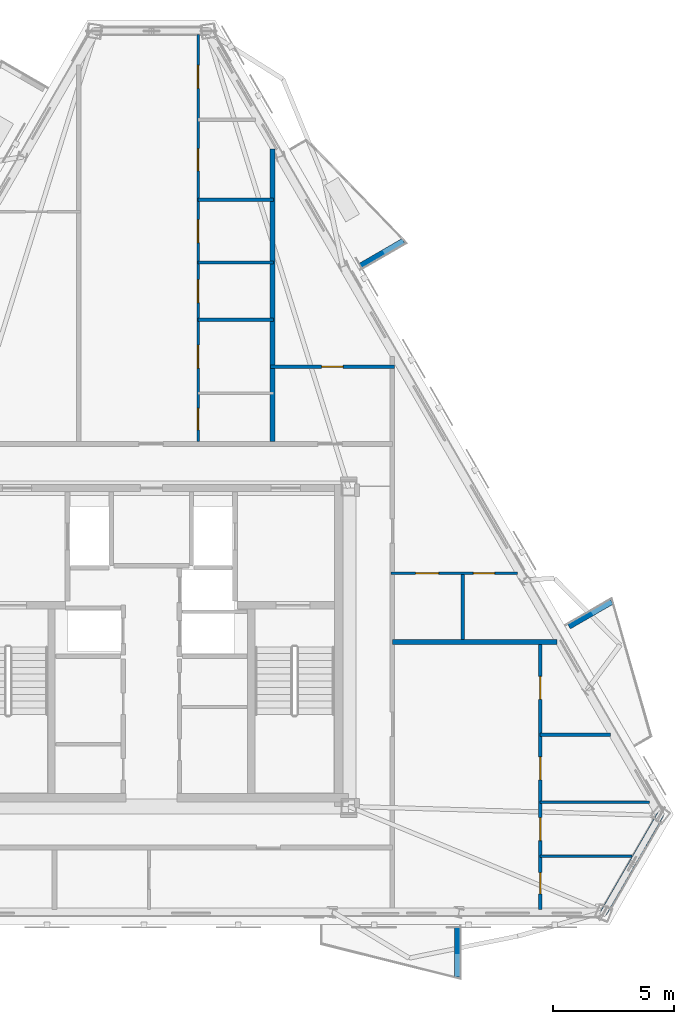
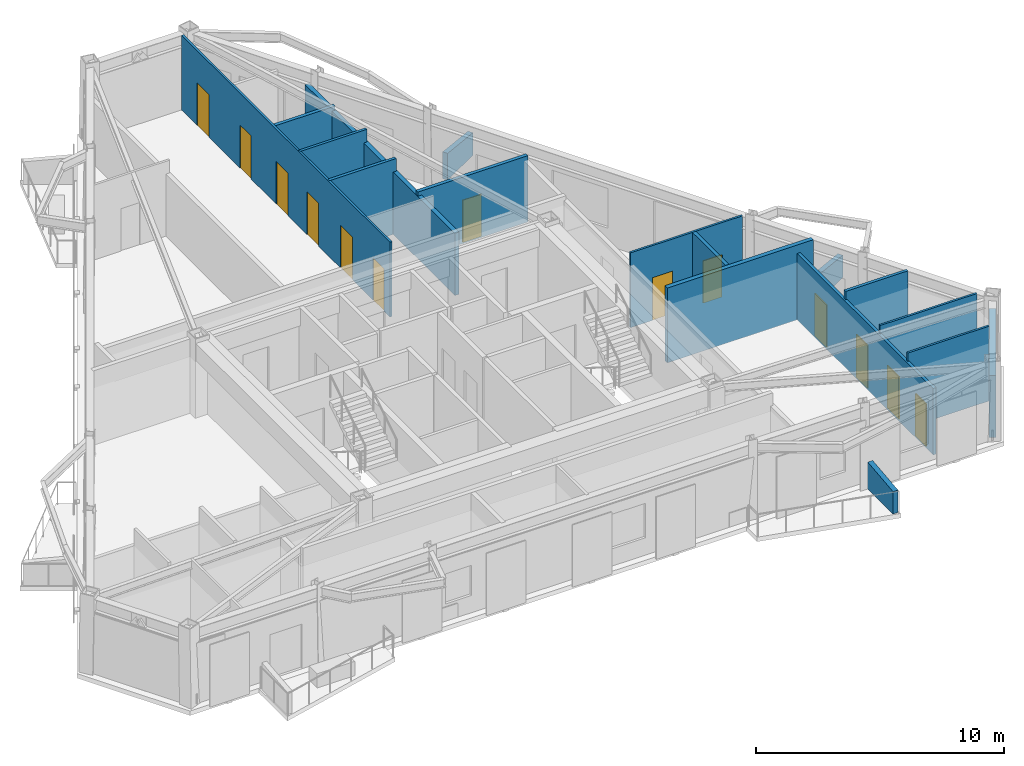
# One storey, part 5 of 9: 17 walls, 13 doors, 13 openings.
"""IFC4 building model written with IfcOpenShell, lengths in metres."""

import ifcopenshell
import ifcopenshell.guid

model = None  # the IFC model being written
_history = None  # IfcOwnerHistory: only IFC2X3 demands one
_inside = {}  # id of a spatial element -> (the spatial element, [elements in it])
_under = {}  # id of a project, library or spatial element -> (it, [spatial elements below it])
_declared = {}  # id of a project -> (the project, [libraries it declares])
_typed = {}  # id of a type object -> (the type object, [elements of that type])
_made_of = {}  # id of a material, layer set ... -> (it, [elements and type objects made of it])


def new_model(schema):
    """Start an empty IFC model of exactly this schema.

    Asked for "IFC4X3", IfcOpenShell would pick the latest addendum, in which some entities
    have other attributes; the version numbers below select the first issue.
    IFC2X3 requires an IfcOwnerHistory on every rooted entity: one is made here for all.
    """
    global model, _history
    if schema == "IFC4X3":
        model = ifcopenshell.file(schema_version=(4, 3, 0, 0))
    else:
        model = ifcopenshell.file(schema=schema)
    _inside.clear()
    _under.clear()
    _declared.clear()
    _typed.clear()
    _made_of.clear()
    _history = None
    if model.schema == "IFC2X3":
        org = make("IfcOrganization", Name="unknown")
        user = make(
            "IfcPersonAndOrganization",
            ThePerson=make("IfcPerson", FamilyName="unknown"),
            TheOrganization=org,
        )
        app = make(
            "IfcApplication",
            ApplicationDeveloper=org,
            Version="unknown",
            ApplicationFullName="unknown",
            ApplicationIdentifier="unknown",
        )
        _history = make(
            "IfcOwnerHistory",
            OwningUser=user,
            OwningApplication=app,
            ChangeAction="ADDED",
            CreationDate=0,
        )
    return model


def make(cls, **values):
    """One entity of the class cls with the attributes given. An attribute that is None is left unset."""
    return model.create_entity(
        cls, **{name: value for name, value in values.items() if value is not None}
    )


def rooted(cls, **values):
    """An entity with a GlobalId (a new one), such as an element, a storey or a relation."""
    return make(cls, GlobalId=ifcopenshell.guid.new(), OwnerHistory=_history, **values)


def si_unit(unit_type, name, prefix=None):
    """IfcSIUnit, for example si_unit("LENGTHUNIT", "METRE", prefix="MILLI")."""
    return make("IfcSIUnit", UnitType=unit_type, Prefix=prefix, Name=name)


def assignment(units):
    """IfcUnitAssignment: the units of a project."""
    return None if units is None else make("IfcUnitAssignment", Units=units)


def point(xyz):
    """IfcCartesianPoint."""
    return None if xyz is None else make("IfcCartesianPoint", Coordinates=xyz)


def direction(xyz):
    """IfcDirection."""
    return None if xyz is None else make("IfcDirection", DirectionRatios=xyz)


def frame(location, z_axis=None, x_axis=None):
    """IfcAxis2Placement3D, a coordinate frame: its origin and axes. An axis left out is left unset."""
    return make(
        "IfcAxis2Placement3D",
        Location=point(location),
        Axis=direction(z_axis),
        RefDirection=direction(x_axis),
    )


def frame_2d(location, x_axis=None):
    """IfcAxis2Placement2D, a coordinate frame in the plane: its origin and x axis."""
    return make(
        "IfcAxis2Placement2D", Location=point(location), RefDirection=direction(x_axis)
    )


def origin():
    """The frame at (0, 0, 0) with its axes left unset."""
    return frame((0.0, 0.0, 0.0))


def place(relative_to, where):
    """IfcLocalPlacement: puts the frame where relative to a parent placement (None: the world)."""
    return make(
        "IfcLocalPlacement", PlacementRelTo=relative_to, RelativePlacement=where
    )


def context(
    kind, dimensions, precision=None, world=None, true_north=None, identifier=None
):
    """IfcGeometricRepresentationContext, for example the 3D "Model" context."""
    return make(
        "IfcGeometricRepresentationContext",
        ContextIdentifier=identifier,
        ContextType=kind,
        CoordinateSpaceDimension=dimensions,
        Precision=precision,
        WorldCoordinateSystem=world,
        TrueNorth=true_north,
    )


def subcontext(parent, identifier, kind, view, scale=None):
    """IfcGeometricRepresentationSubContext, for example "Body" below "Model"."""
    return make(
        "IfcGeometricRepresentationSubContext",
        ContextIdentifier=identifier,
        ContextType=kind,
        ParentContext=parent,
        TargetScale=scale,
        TargetView=view,
    )


def project(units=None, contexts=None):
    """IfcProject with its units and contexts."""
    return rooted(
        "IfcProject",
        Name="project",
        RepresentationContexts=contexts,
        UnitsInContext=assignment(units),
    )


def spatial(cls, under=None, at=None, **own):
    """A site, building, storey or space (cls), placed at a placement, below another one or the project."""
    s = rooted(cls, ObjectPlacement=at, **own)
    if under is not None:
        _under.setdefault(under.id(), (under, []))[1].append(s)
    return s


def polyline(points):
    """IfcPolyline through the points."""
    return make("IfcPolyline", Points=[point(p) for p in points])


def profile(cls, at=None, kind="AREA", **sizes):
    """A parametric profile (cls). Its sizes go by their IFC names, for example OverallWidth=200.0."""
    return make(cls, ProfileType=kind, Position=at, **sizes)


def rectangle(**sizes):
    """IfcRectangleProfileDef."""
    return profile("IfcRectangleProfileDef", **sizes)


def outline(outer, holes=None, kind="AREA"):
    """IfcArbitraryClosedProfileDef: a profile drawn as a closed curve; with holes, ...WithVoids."""
    if holes is None:
        return make("IfcArbitraryClosedProfileDef", ProfileType=kind, OuterCurve=outer)
    return make(
        "IfcArbitraryProfileDefWithVoids",
        ProfileType=kind,
        OuterCurve=outer,
        InnerCurves=holes,
    )


def extrude(swept, where, along, depth):
    """IfcExtrudedAreaSolid: the profile swept, set in the frame where, extruded along a direction by depth."""
    return make(
        "IfcExtrudedAreaSolid",
        SweptArea=swept,
        Position=where,
        ExtrudedDirection=direction(along),
        Depth=depth,
    )


def shape(context_of_items, identifier, shape_type, items):
    """IfcShapeRepresentation: the items that make up one representation, for example the "Body"."""
    return make(
        "IfcShapeRepresentation",
        ContextOfItems=context_of_items,
        RepresentationIdentifier=identifier,
        RepresentationType=shape_type,
        Items=items,
    )


def material(Name=None, Category=None):
    """IfcMaterial."""
    return make("IfcMaterial", Name=Name, Category=Category)


def layer(
    of_material, thickness, ventilated=None, Name=None, Category=None, Priority=None
):
    """IfcMaterialLayer: one layer of a wall or slab, of a material (None: an air gap)."""
    return make(
        "IfcMaterialLayer",
        Material=of_material,
        LayerThickness=thickness,
        IsVentilated=ventilated,
        Name=Name,
        Category=Category,
        Priority=Priority,
    )


def layer_set(layers, Name=None):
    """IfcMaterialLayerSet."""
    return make("IfcMaterialLayerSet", MaterialLayers=layers, LayerSetName=Name)


def made_of(thing, what):
    """Note that an element or type object is made of a material, layer set ...; save() writes the relation."""
    if what is not None:
        _made_of.setdefault(what.id(), (what, []))[1].append(thing)
    return thing


def type_object(cls, material=None, **own):
    """A type object (cls), such as IfcWallType, which elements share."""
    return made_of(rooted(cls, **own), material)


def element(
    cls,
    number,
    at=None,
    inside=None,
    cuts=None,
    type_object=None,
    material=None,
    context=None,
    identifier="Body",
    shape_type=None,
    held_by="IfcProductDefinitionShape",
    body=None,
    shapes=None,
    **own,
):
    """One element of the class cls, such as IfcWall. Its Tag is "e" and its number.

    at: its placement. inside: the storey or other place that contains it. cuts: it is an
    opening in that element (IfcRelVoidsElement). A single representation is given by context,
    identifier, shape_type and body (its items); several are given by shapes. held_by: the class
    of the entity that holds the representations. save() writes the other relations.
    """
    e = rooted(cls, Tag="e%d" % number, ObjectPlacement=at, **own)
    if body is not None:
        shapes = [shape(context, identifier, shape_type, body)]
    if shapes is not None:
        e.Representation = make(held_by, Representations=shapes)
    if inside is not None:
        _inside.setdefault(inside.id(), (inside, []))[1].append(e)
    if cuts is not None:
        rooted(
            "IfcRelVoidsElement", RelatingBuildingElement=cuts, RelatedOpeningElement=e
        )
    if type_object is not None:
        _typed.setdefault(type_object.id(), (type_object, []))[1].append(e)
    return made_of(e, material)


def fill(opening, filler):
    """IfcRelFillsElement: the door or window that sits in an opening."""
    return rooted(
        "IfcRelFillsElement",
        RelatingOpeningElement=opening,
        RelatedBuildingElement=filler,
    )


def aggregate(whole, parts):
    """IfcRelAggregates: a whole, such as a stair, and the parts it consists of."""
    return rooted("IfcRelAggregates", RelatingObject=whole, RelatedObjects=parts)


def save(model, path):
    """Write the relations noted so far, then the file.

    IfcRelAggregates (storeys below a building ...), IfcRelContainedInSpatialStructure (elements
    in a storey), IfcRelDefinesByType, IfcRelAssociatesMaterial and IfcRelDeclares: one each for
    every whole, place, type object, material and project.
    """
    for whole, parts in _under.values():
        aggregate(whole, parts)
    for where, things in _inside.values():
        rooted(
            "IfcRelContainedInSpatialStructure",
            RelatedElements=things,
            RelatingStructure=where,
        )
    for kind, things in _typed.values():
        rooted("IfcRelDefinesByType", RelatedObjects=things, RelatingType=kind)
    for what, things in _made_of.values():
        rooted("IfcRelAssociatesMaterial", RelatedObjects=things, RelatingMaterial=what)
    for by, libraries in _declared.values():
        rooted("IfcRelDeclares", RelatingContext=by, RelatedDefinitions=libraries)
    model.write(path)


model = new_model("IFC4")

# Units and contexts
model_context = context("Model", 3, precision=1e-05, world=origin(), true_north=direction((0.0, 1.0)))
body_context = subcontext(model_context, "Body", "Model", "MODEL_VIEW")
ifc_project = project(units=[si_unit("LENGTHUNIT", "METRE"), si_unit("AREAUNIT", "SQUARE_METRE"), si_unit("VOLUMEUNIT", "CUBIC_METRE"), si_unit("PLANEANGLEUNIT", "RADIAN"), si_unit("MASSUNIT", "GRAM", prefix="KILO")], contexts=[model_context])

# Site, building, storey
site_placement = place(None, origin())
site = spatial("IfcSite", under=ifc_project, at=site_placement, CompositionType="ELEMENT")
building_placement = place(site_placement, origin())
building = spatial("IfcBuilding", under=site, at=building_placement, Name="Oramaril Tower", CompositionType="ELEMENT")
storey_placement = place(building_placement, frame((0.0, 0.0, 273.300048828125)))
storey = spatial("IfcBuildingStorey", under=building, at=storey_placement, Name="L72", CompositionType="ELEMENT", Elevation=273.300048828125)

# Walls
ifc_material_1 = material(Name="Warm Cream Limestone", Category="masonry")
ifc_layer_1 = layer(ifc_material_1, 0.2900390625)
ifc_layer_set_1 = layer_set([ifc_layer_1], Name="WT-EXT29")
wall_type_1 = type_object("IfcWallType", Name="WT-EXT29", PredefinedType="SOLIDWALL", material=ifc_layer_set_1)
wall_1_placement = place(storey_placement, frame((56.17138671875, 6.593994140625, 0.0), z_axis=(0.0, 0.0, 1.0), x_axis=(0.499959680857, 0.866048680801, 0.0)))
element("IfcWall", 1, at=wall_1_placement, inside=storey, type_object=wall_type_1, Name="L72 Tower Limestone Facade Wall 3M", PredefinedType="SOLIDWALL", context=body_context, shape_type="SweptSolid", body=[
    extrude(rectangle(XDim=4.7216796875, YDim=0.2900390625, at=frame_2d((2.36083984375, 0.0))), origin(), (0.0, 0.0, 1.0), 3.057861328125),
])
ifc_material_2 = material(Name="Concrete C40/50", Category="concrete")
ifc_layer_2 = layer(ifc_material_2, 0.22998046875)
ifc_layer_set_2 = layer_set([ifc_layer_2], Name="WT-PRP23")
wall_type_2 = type_object("IfcWallType", Name="WT-PRP23", PredefinedType="PARAPET", material=ifc_layer_set_2)
for number, where, z_axis, x_axis, name in (
    (2, (50.132080078125, 5.99609375, 0.0), (0.0, 0.0, 1.0), (0.0, -1.0, 0.0), "L72 Trapezoidal Balcony Frame Cheek L72-BAL-S2-R"),
    (3, (54.747802734375, 18.43359375, 0.0), (0.0, 0.0, 1.0), (0.866012356593, 0.500022597718, 0.0), "L72 Trapezoidal Balcony Frame Cheek L72-BAL-NE1-R"),
    (4, (46.143310546875, 33.337158203125, 0.0), (0.0, 0.0, 1.0), (0.866012356593, 0.500022597718, 0.0), "L72 Trapezoidal Balcony Frame Cheek L72-BAL-NE2-L"),
):
    element("IfcWall", number, at=place(storey_placement, frame(where, z_axis=z_axis, x_axis=x_axis)), inside=storey, type_object=wall_type_2, Name=name, PredefinedType="PARAPET", context=body_context, shape_type="SweptSolid", body=[
        extrude(outline(polyline([(0.0, 0.0), (2.0419921875, 0.0), (2.0419921875, 1.099853515625), (0.0, 1.320068359375), (0.0, 0.0)])), frame((0.0, 0.114990234375, 0.0), z_axis=(0.0, -1.0, 0.0), x_axis=(1.0, 0.0, 0.0)), (0.0, 0.0, 1.0), 0.22998046875),
    ])
ifc_material_3 = material(Name="Acoustic Gypsum Board Partition")
ifc_layer_3 = layer(ifc_material_3, 0.10009765625)
ifc_layer_set_3 = layer_set([ifc_layer_3], Name="WT-PT10")
wall_type_3 = type_object("IfcWallType", Name="WT-PT10", PredefinedType="PARTITIONING", material=ifc_layer_set_3)
wall_2_placement = place(storey_placement, frame((53.55908203125, 8.949951171875, 0.0), z_axis=(0.0, 0.0, 1.0), x_axis=(1.0, 0.0, 0.0)))
element("IfcWall", 5, at=wall_2_placement, inside=storey, type_object=wall_type_3, Name="L72 Interior Partition PT-10", PredefinedType="PARTITIONING", context=body_context, shape_type="SweptSolid", body=[
    extrude(rectangle(XDim=3.800537109375, YDim=0.10009765625, at=frame_2d((1.900390625, 0.0))), origin(), (0.0, 0.0, 1.0), 3.679931640625),
])
wall_3_placement = place(storey_placement, frame((53.55908203125, 11.179931640625, 0.0), z_axis=(0.0, 0.0, 1.0), x_axis=(1.0, 0.0, 0.0)))
element("IfcWall", 6, at=wall_3_placement, inside=storey, type_object=wall_type_3, Name="L72 Interior Partition PT-10", PredefinedType="PARTITIONING", context=body_context, shape_type="SweptSolid", body=[
    extrude(rectangle(XDim=4.513916015625, YDim=0.10009765625, at=frame_2d((2.2568359375, 0.0))), origin(), (0.0, 0.0, 1.0), 3.679931640625),
])

# Wall, openings, doors
wall_4_placement = place(storey_placement, frame((47.39990234375, 20.6298828125, 0.0), z_axis=(0.0, 0.0, 1.0), x_axis=(1.0, 0.0, 0.0)))
wall_4 = element("IfcWall", 7, at=wall_4_placement, inside=storey, type_object=wall_type_3, Name="L72 Interior Partition PT-10", PredefinedType="PARTITIONING", context=body_context, shape_type="SweptSolid", body=[
    extrude(rectangle(XDim=5.21728515625, YDim=0.10009765625, at=frame_2d((2.608642578125, 0.0))), origin(), (0.0, 0.0, 1.0), 3.679931640625),
])
opening_1_placement = place(wall_4_placement, frame((1.012939453125, 0.0, 0.0)))
opening_1 = element("IfcOpeningElement", 8, at=opening_1_placement, cuts=wall_4, Name="Opening D-L72-07", PredefinedType="OPENING", context=body_context, shape_type="SweptSolid", body=[
    extrude(rectangle(XDim=0.949951171875, YDim=2.10009765625, at=frame_2d((0.47509765625, 1.050048828125))), frame((0.0, 0.050048828125, 0.0), z_axis=(0.0, -1.0, 0.0), x_axis=(1.0, 0.0, 0.0)), (0.0, 0.0, 1.0), 0.10009765625),
])
opening_2_placement = place(wall_4_placement, frame((3.398193359375, 0.0, 0.0)))
opening_2 = element("IfcOpeningElement", 9, at=opening_2_placement, cuts=wall_4, Name="Opening D-L72-08", PredefinedType="OPENING", context=body_context, shape_type="SweptSolid", body=[
    extrude(rectangle(XDim=0.8798828125, YDim=2.080078125, at=frame_2d((0.43994140625, 1.0400390625))), frame((0.0, 0.050048828125, 0.0), z_axis=(0.0, -1.0, 0.0), x_axis=(1.0, 0.0, 0.0)), (0.0, 0.0, 1.0), 0.10009765625),
])
ifc_material_4 = material(Name="FSC Brazilian Freijo Hardwood", Category="wood")
door_type_1 = type_object("IfcDoorType", Name="DT-BATH", OperationType="NOTDEFINED", PredefinedType="DOOR", material=ifc_material_4)
door_1_placement = place(opening_2_placement, origin())
door_1 = element("IfcDoor", 10, at=door_1_placement, inside=storey, type_object=door_type_1, Name="L72 Flat L72-U5 Bathroom Door D-L72-08", OperationType="SINGLE_SWING_LEFT", OverallHeight=2.080078125, OverallWidth=0.8798828125, PredefinedType="DOOR", context=body_context, shape_type="SweptSolid", body=[
    extrude(rectangle(XDim=0.8798828125, YDim=2.080078125, at=frame_2d((0.43994140625, 1.0400390625))), frame((0.0, 0.02490234375, 0.0), z_axis=(0.0, -1.0, 0.0), x_axis=(1.0, 0.0, 0.0)), (0.0, 0.0, 1.0), 0.050048828125),
])
fill(opening_2, door_1)
ifc_material_5 = material(Name="FSC Brazilian Freijo Hardwood", Category="wood")
door_type_2 = type_object("IfcDoorType", Name="DT-STDY", OperationType="NOTDEFINED", PredefinedType="DOOR", material=ifc_material_5)
door_2_placement = place(opening_1_placement, origin())
door_2 = element("IfcDoor", 11, at=door_2_placement, inside=storey, type_object=door_type_2, Name="L72 Flat L72-U5 Kitchen Door D-L72-07", OperationType="SINGLE_SWING_RIGHT", OverallHeight=2.10009765625, OverallWidth=0.949951171875, PredefinedType="DOOR", context=body_context, shape_type="SweptSolid", body=[
    extrude(rectangle(XDim=0.949951171875, YDim=2.10009765625, at=frame_2d((0.47509765625, 1.050048828125))), frame((0.0, 0.02490234375, 0.0), z_axis=(0.0, -1.0, 0.0), x_axis=(1.0, 0.0, 0.0)), (0.0, 0.0, 1.0), 0.050048828125),
])
fill(opening_1, door_2)

wall_5_placement = place(storey_placement, frame((39.429931640625, 26.073974609375, 0.0), z_axis=(0.0, 0.0, 1.0), x_axis=(0.0, 1.0, 0.0)))
wall_5 = element("IfcWall", 12, at=wall_5_placement, inside=storey, type_object=wall_type_3, Name="L72 Interior Partition PT-10", PredefinedType="PARTITIONING", context=body_context, shape_type="SweptSolid", body=[
    extrude(rectangle(XDim=16.7998046875, YDim=0.10009765625, at=frame_2d((8.39990234375, 0.0))), origin(), (0.0, 0.0, 1.0), 3.679931640625),
])
opening_3_placement = place(wall_5_placement, frame((0.48583984375, 0.0, 0.0)))
opening_3 = element("IfcOpeningElement", 13, at=opening_3_placement, cuts=wall_5, Name="Opening D-L72-17", PredefinedType="OPENING", context=body_context, shape_type="SweptSolid", body=[
    extrude(rectangle(XDim=0.8798828125, YDim=2.080078125, at=frame_2d((0.43994140625, 1.0400390625))), frame((0.0, 0.050048828125, 0.0), z_axis=(0.0, -1.0, 0.0), x_axis=(1.0, 0.0, 0.0)), (0.0, 0.0, 1.0), 0.10009765625),
])
opening_4_placement = place(wall_5_placement, frame((3.03564453125, 0.0, 0.0)))
opening_4 = element("IfcOpeningElement", 14, at=opening_4_placement, cuts=wall_5, Name="Opening D-L72-18", PredefinedType="OPENING", context=body_context, shape_type="SweptSolid", body=[
    extrude(rectangle(XDim=0.949951171875, YDim=2.10009765625, at=frame_2d((0.47509765625, 1.050048828125))), frame((0.0, 0.050048828125, 0.0), z_axis=(0.0, -1.0, 0.0), x_axis=(1.0, 0.0, 0.0)), (0.0, 0.0, 1.0), 0.10009765625),
])
opening_5_placement = place(wall_5_placement, frame((5.739990234375, 0.0, 0.0)))
opening_5 = element("IfcOpeningElement", 15, at=opening_5_placement, cuts=wall_5, Name="Opening D-L72-19", PredefinedType="OPENING", context=body_context, shape_type="SweptSolid", body=[
    extrude(rectangle(XDim=0.949951171875, YDim=2.10009765625, at=frame_2d((0.47509765625, 1.050048828125))), frame((0.0, 0.050048828125, 0.0), z_axis=(0.0, -1.0, 0.0), x_axis=(1.0, 0.0, 0.0)), (0.0, 0.0, 1.0), 0.10009765625),
])
opening_6_placement = place(wall_5_placement, frame((8.216552734375, 0.0, 0.0)))
opening_6 = element("IfcOpeningElement", 16, at=opening_6_placement, cuts=wall_5, Name="Opening D-L72-20", PredefinedType="OPENING", context=body_context, shape_type="SweptSolid", body=[
    extrude(rectangle(XDim=0.949951171875, YDim=2.10009765625, at=frame_2d((0.47509765625, 1.050048828125))), frame((0.0, 0.050048828125, 0.0), z_axis=(0.0, -1.0, 0.0), x_axis=(1.0, 0.0, 0.0)), (0.0, 0.0, 1.0), 0.10009765625),
])
opening_7_placement = place(wall_5_placement, frame((11.179931640625, 0.0, 0.0)))
opening_7 = element("IfcOpeningElement", 17, at=opening_7_placement, cuts=wall_5, Name="Opening D-L72-21", PredefinedType="OPENING", context=body_context, shape_type="SweptSolid", body=[
    extrude(rectangle(XDim=0.919921875, YDim=2.1201171875, at=frame_2d((0.4599609375, 1.06005859375))), frame((0.0, 0.050048828125, 0.0), z_axis=(0.0, -1.0, 0.0), x_axis=(1.0, 0.0, 0.0)), (0.0, 0.0, 1.0), 0.10009765625),
])
opening_8_placement = place(wall_5_placement, frame((14.5849609375, 0.0, 0.0)))
opening_8 = element("IfcOpeningElement", 18, at=opening_8_placement, cuts=wall_5, Name="Opening D-L72-22", PredefinedType="OPENING", context=body_context, shape_type="SweptSolid", body=[
    extrude(rectangle(XDim=0.949951171875, YDim=2.10009765625, at=frame_2d((0.47509765625, 1.050048828125))), frame((0.0, 0.050048828125, 0.0), z_axis=(0.0, -1.0, 0.0), x_axis=(1.0, 0.0, 0.0)), (0.0, 0.0, 1.0), 0.10009765625),
])
door_3_placement = place(opening_3_placement, origin())
door_3 = element("IfcDoor", 19, at=door_3_placement, inside=storey, type_object=door_type_1, Name="L72 Flat L72-U7 Bathroom Door D-L72-17", OperationType="SINGLE_SWING_RIGHT", OverallHeight=2.080078125, OverallWidth=0.8798828125, PredefinedType="DOOR", context=body_context, shape_type="SweptSolid", body=[
    extrude(rectangle(XDim=0.8798828125, YDim=2.080078125, at=frame_2d((0.43994140625, 1.0400390625))), frame((0.0, 0.02490234375, 0.0), z_axis=(0.0, -1.0, 0.0), x_axis=(1.0, 0.0, 0.0)), (0.0, 0.0, 1.0), 0.050048828125),
])
fill(opening_3, door_3)
ifc_material_6 = material(Name="FSC Brazilian Freijo Hardwood", Category="wood")
door_type_3 = type_object("IfcDoorType", Name="DT-BED", OperationType="NOTDEFINED", PredefinedType="DOOR", material=ifc_material_6)
door_4_placement = place(opening_7_placement, origin())
door_4 = element("IfcDoor", 20, at=door_4_placement, inside=storey, type_object=door_type_3, Name="L72 Flat L72-U7 Bedroom 2 Door D-L72-21", OperationType="SINGLE_SWING_RIGHT", OverallHeight=2.1201171875, OverallWidth=0.919921875, PredefinedType="DOOR", context=body_context, shape_type="SweptSolid", body=[
    extrude(rectangle(XDim=0.919921875, YDim=2.1201171875, at=frame_2d((0.4599609375, 1.06005859375))), frame((0.0, 0.02490234375, 0.0), z_axis=(0.0, -1.0, 0.0), x_axis=(1.0, 0.0, 0.0)), (0.0, 0.0, 1.0), 0.050048828125),
])
fill(opening_7, door_4)
door_5_placement = place(opening_4_placement, origin())
door_5 = element("IfcDoor", 21, at=door_5_placement, inside=storey, type_object=door_type_2, Name="L72 Flat L72-U7 Kitchen Door D-L72-18", OperationType="SINGLE_SWING_LEFT", OverallHeight=2.10009765625, OverallWidth=0.949951171875, PredefinedType="DOOR", context=body_context, shape_type="SweptSolid", body=[
    extrude(rectangle(XDim=0.949951171875, YDim=2.10009765625, at=frame_2d((0.47509765625, 1.050048828125))), frame((0.0, 0.02490234375, 0.0), z_axis=(0.0, -1.0, 0.0), x_axis=(1.0, 0.0, 0.0)), (0.0, 0.0, 1.0), 0.050048828125),
])
fill(opening_4, door_5)
door_6_placement = place(opening_5_placement, origin())
door_6 = element("IfcDoor", 22, at=door_6_placement, inside=storey, type_object=door_type_2, Name="L72 Flat L72-U7 Private Dining Room Door D-L72-19", OperationType="SINGLE_SWING_RIGHT", OverallHeight=2.10009765625, OverallWidth=0.949951171875, PredefinedType="DOOR", context=body_context, shape_type="SweptSolid", body=[
    extrude(rectangle(XDim=0.949951171875, YDim=2.10009765625, at=frame_2d((0.47509765625, 1.050048828125))), frame((0.0, 0.02490234375, 0.0), z_axis=(0.0, -1.0, 0.0), x_axis=(1.0, 0.0, 0.0)), (0.0, 0.0, 1.0), 0.050048828125),
])
fill(opening_5, door_6)
door_7_placement = place(opening_6_placement, origin())
door_7 = element("IfcDoor", 23, at=door_7_placement, inside=storey, type_object=door_type_2, Name="L72 Flat L72-U7 Dining Room Door D-L72-20", OperationType="SINGLE_SWING_LEFT", OverallHeight=2.10009765625, OverallWidth=0.949951171875, PredefinedType="DOOR", context=body_context, shape_type="SweptSolid", body=[
    extrude(rectangle(XDim=0.949951171875, YDim=2.10009765625, at=frame_2d((0.47509765625, 1.050048828125))), frame((0.0, 0.02490234375, 0.0), z_axis=(0.0, -1.0, 0.0), x_axis=(1.0, 0.0, 0.0)), (0.0, 0.0, 1.0), 0.050048828125),
])
fill(opening_6, door_7)
door_8_placement = place(opening_8_placement, origin())
door_8 = element("IfcDoor", 24, at=door_8_placement, inside=storey, type_object=door_type_2, Name="L72 Flat L72-U7 Breakfast Dining Room Door D-L72-22", OperationType="SINGLE_SWING_LEFT", OverallHeight=2.10009765625, OverallWidth=0.949951171875, PredefinedType="DOOR", context=body_context, shape_type="SweptSolid", body=[
    extrude(rectangle(XDim=0.949951171875, YDim=2.10009765625, at=frame_2d((0.47509765625, 1.050048828125))), frame((0.0, 0.02490234375, 0.0), z_axis=(0.0, -1.0, 0.0), x_axis=(1.0, 0.0, 0.0)), (0.0, 0.0, 1.0), 0.050048828125),
])
fill(opening_8, door_8)

# Walls
ifc_material_7 = material(Name="Acoustic Gypsum Board Partition")
ifc_layer_4 = layer(ifc_material_7, 0.1201171875)
ifc_layer_set_4 = layer_set([ifc_layer_4], Name="WT-PT12")
wall_type_4 = type_object("IfcWallType", Name="WT-PT12", PredefinedType="PARTITIONING", material=ifc_layer_set_4)
wall_6_placement = place(storey_placement, frame((39.429931640625, 33.469970703125, 0.0), z_axis=(0.0, 0.0, 1.0), x_axis=(1.0, 0.0, 0.0)))
element("IfcWall", 25, at=wall_6_placement, inside=storey, type_object=wall_type_4, Name="L72 Interior Partition PT-12", PredefinedType="PARTITIONING", context=body_context, shape_type="SweptSolid", body=[
    extrude(rectangle(XDim=3.1201171875, YDim=0.1201171875, at=frame_2d((1.56005859375, 0.0))), origin(), (0.0, 0.0, 1.0), 3.679931640625),
])
ifc_material_8 = material(Name="Acoustic Gypsum Board Partition")
ifc_layer_5 = layer(ifc_material_8, 0.139892578125)
ifc_layer_set_5 = layer_set([ifc_layer_5], Name="WT-PT14")
wall_type_5 = type_object("IfcWallType", Name="WT-PT14", PredefinedType="PARTITIONING", material=ifc_layer_set_5)
wall_7_placement = place(storey_placement, frame((53.55908203125, 13.969970703125, 0.0), z_axis=(0.0, 0.0, 1.0), x_axis=(1.0, 0.0, 0.0)))
element("IfcWall", 26, at=wall_7_placement, inside=storey, type_object=wall_type_5, Name="L72 Interior Partition PT-14", PredefinedType="PARTITIONING", context=body_context, shape_type="SweptSolid", body=[
    extrude(rectangle(XDim=2.9033203125, YDim=0.139892578125, at=frame_2d((1.45166015625, 0.0))), origin(), (0.0, 0.0, 1.0), 3.679931640625),
])
wall_8_placement = place(storey_placement, frame((39.429931640625, 31.110107421875, 0.0), z_axis=(0.0, 0.0, 1.0), x_axis=(1.0, 0.0, 0.0)))
element("IfcWall", 27, at=wall_8_placement, inside=storey, type_object=wall_type_5, Name="L72 Interior Partition PT-14", PredefinedType="PARTITIONING", context=body_context, shape_type="SweptSolid", body=[
    extrude(rectangle(XDim=3.1201171875, YDim=0.139892578125, at=frame_2d((1.56005859375, 0.0))), origin(), (0.0, 0.0, 1.0), 3.679931640625),
])

# Wall, openings, doors
wall_9_placement = place(storey_placement, frame((53.56005859375, 6.7431640625, 0.0), z_axis=(0.0, 0.0, 1.0), x_axis=(0.0, 1.0, 0.0)))
wall_9 = element("IfcWall", 28, at=wall_9_placement, inside=storey, type_object=wall_type_5, Name="L72 Interior Partition PT-14", PredefinedType="PARTITIONING", context=body_context, shape_type="SweptSolid", body=[
    extrude(rectangle(XDim=10.952880859375, YDim=0.139892578125, at=frame_2d((5.4765625, 0.0))), origin(), (0.0, 0.0, 1.0), 3.265869140625),
])
opening_9_placement = place(wall_9_placement, frame((0.650390625, 0.0, 0.0)))
opening_9 = element("IfcOpeningElement", 29, at=opening_9_placement, cuts=wall_9, Name="Opening D-L72-25", PredefinedType="OPENING", context=body_context, shape_type="SweptSolid", body=[
    extrude(rectangle(XDim=0.8798828125, YDim=2.080078125, at=frame_2d((0.43994140625, 1.0400390625))), frame((0.0, 0.06982421875, 0.0), z_axis=(0.0, -1.0, 0.0), x_axis=(1.0, 0.0, 0.0)), (0.0, 0.0, 1.0), 0.139892578125),
])
opening_10_placement = place(wall_9_placement, frame((2.84716796875, 0.0, 0.0)))
opening_10 = element("IfcOpeningElement", 30, at=opening_10_placement, cuts=wall_9, Name="Opening D-L72-26", PredefinedType="OPENING", context=body_context, shape_type="SweptSolid", body=[
    extrude(rectangle(XDim=0.949951171875, YDim=2.10009765625, at=frame_2d((0.47509765625, 1.050048828125))), frame((0.0, 0.06982421875, 0.0), z_axis=(0.0, -1.0, 0.0), x_axis=(1.0, 0.0, 0.0)), (0.0, 0.0, 1.0), 0.139892578125),
])
opening_11_placement = place(wall_9_placement, frame((5.35693359375, 0.0, 0.0)))
opening_11 = element("IfcOpeningElement", 31, at=opening_11_placement, cuts=wall_9, Name="Opening D-L72-27", PredefinedType="OPENING", context=body_context, shape_type="SweptSolid", body=[
    extrude(rectangle(XDim=0.949951171875, YDim=2.10009765625, at=frame_2d((0.47509765625, 1.050048828125))), frame((0.0, 0.06982421875, 0.0), z_axis=(0.0, -1.0, 0.0), x_axis=(1.0, 0.0, 0.0)), (0.0, 0.0, 1.0), 0.139892578125),
])
opening_12_placement = place(wall_9_placement, frame((8.682861328125, 0.0, 0.0)))
opening_12 = element("IfcOpeningElement", 32, at=opening_12_placement, cuts=wall_9, Name="Opening D-L72-28", PredefinedType="OPENING", context=body_context, shape_type="SweptSolid", body=[
    extrude(rectangle(XDim=0.949951171875, YDim=2.10009765625, at=frame_2d((0.47509765625, 1.050048828125))), frame((0.0, 0.06982421875, 0.0), z_axis=(0.0, -1.0, 0.0), x_axis=(1.0, 0.0, 0.0)), (0.0, 0.0, 1.0), 0.139892578125),
])
door_9_placement = place(opening_9_placement, origin())
door_9 = element("IfcDoor", 33, at=door_9_placement, inside=storey, type_object=door_type_1, Name="L72 Flat L72-U4 Bathroom Door D-L72-25", OperationType="SINGLE_SWING_RIGHT", OverallHeight=2.080078125, OverallWidth=0.8798828125, PredefinedType="DOOR", context=body_context, shape_type="SweptSolid", body=[
    extrude(rectangle(XDim=0.8798828125, YDim=2.080078125, at=frame_2d((0.43994140625, 1.0400390625))), frame((0.0, 0.02490234375, 0.0), z_axis=(0.0, -1.0, 0.0), x_axis=(1.0, 0.0, 0.0)), (0.0, 0.0, 1.0), 0.050048828125),
])
fill(opening_9, door_9)
door_10_placement = place(opening_10_placement, origin())
door_10 = element("IfcDoor", 34, at=door_10_placement, inside=storey, type_object=door_type_2, Name="L72 Flat L72-U4 Kitchen Door D-L72-26", OperationType="SINGLE_SWING_LEFT", OverallHeight=2.10009765625, OverallWidth=0.949951171875, PredefinedType="DOOR", context=body_context, shape_type="SweptSolid", body=[
    extrude(rectangle(XDim=0.949951171875, YDim=2.10009765625, at=frame_2d((0.47509765625, 1.050048828125))), frame((0.0, 0.02490234375, 0.0), z_axis=(0.0, -1.0, 0.0), x_axis=(1.0, 0.0, 0.0)), (0.0, 0.0, 1.0), 0.050048828125),
])
fill(opening_10, door_10)
door_11_placement = place(opening_11_placement, origin())
door_11 = element("IfcDoor", 35, at=door_11_placement, inside=storey, type_object=door_type_2, Name="L72 Flat L72-U4 Reading Study Door D-L72-27", OperationType="SINGLE_SWING_RIGHT", OverallHeight=2.10009765625, OverallWidth=0.949951171875, PredefinedType="DOOR", context=body_context, shape_type="SweptSolid", body=[
    extrude(rectangle(XDim=0.949951171875, YDim=2.10009765625, at=frame_2d((0.47509765625, 1.050048828125))), frame((0.0, 0.02490234375, 0.0), z_axis=(0.0, -1.0, 0.0), x_axis=(1.0, 0.0, 0.0)), (0.0, 0.0, 1.0), 0.050048828125),
])
fill(opening_11, door_11)
door_12_placement = place(opening_12_placement, origin())
door_12 = element("IfcDoor", 36, at=door_12_placement, inside=storey, type_object=door_type_2, Name="L72 Flat L72-U4 Breakfast Dining Room Door D-L72-28", OperationType="SINGLE_SWING_LEFT", OverallHeight=2.10009765625, OverallWidth=0.949951171875, PredefinedType="DOOR", context=body_context, shape_type="SweptSolid", body=[
    extrude(rectangle(XDim=0.949951171875, YDim=2.10009765625, at=frame_2d((0.47509765625, 1.050048828125))), frame((0.0, 0.02490234375, 0.0), z_axis=(0.0, -1.0, 0.0), x_axis=(1.0, 0.0, 0.0)), (0.0, 0.0, 1.0), 0.050048828125),
])
fill(opening_12, door_12)

# Wall, opening, door
ifc_material_9 = material(Name="Acoustic Gypsum Board Partition")
ifc_layer_6 = layer(ifc_material_9, 0.159912109375)
ifc_layer_set_6 = layer_set([ifc_layer_6], Name="WT-PT16")
wall_type_6 = type_object("IfcWallType", Name="WT-PT16", PredefinedType="PARTITIONING", material=ifc_layer_set_6)
wall_10_placement = place(storey_placement, frame((42.41796875, 29.159912109375, 0.0), z_axis=(0.0, 0.0, 1.0), x_axis=(1.0, 0.0, 0.0)))
wall_10 = element("IfcWall", 37, at=wall_10_placement, inside=storey, type_object=wall_type_6, Name="L72 Interior Partition PT-16", PredefinedType="PARTITIONING", context=body_context, shape_type="SweptSolid", body=[
    extrude(rectangle(XDim=5.114013671875, YDim=0.159912109375, at=frame_2d((2.55712890625, 0.0))), origin(), (0.0, 0.0, 1.0), 3.265869140625),
])
opening_13_placement = place(wall_10_placement, frame((2.116943359375, 0.0, 0.0)))
opening_13 = element("IfcOpeningElement", 38, at=opening_13_placement, cuts=wall_10, Name="Opening D-L72-13", PredefinedType="OPENING", context=body_context, shape_type="SweptSolid", body=[
    extrude(rectangle(XDim=0.8798828125, YDim=2.080078125, at=frame_2d((0.43994140625, 1.0400390625))), frame((0.0, 0.080078125, 0.0), z_axis=(0.0, -1.0, 0.0), x_axis=(1.0, 0.0, 0.0)), (0.0, 0.0, 1.0), 0.159912109375),
])
door_13_placement = place(opening_13_placement, origin())
door_13 = element("IfcDoor", 39, at=door_13_placement, inside=storey, type_object=door_type_1, Name="L72 Flat L72-U8 Bathroom Door D-L72-13", OperationType="SINGLE_SWING_RIGHT", OverallHeight=2.080078125, OverallWidth=0.8798828125, PredefinedType="DOOR", context=body_context, shape_type="SweptSolid", body=[
    extrude(rectangle(XDim=0.8798828125, YDim=2.080078125, at=frame_2d((0.43994140625, 1.0400390625))), frame((0.0, 0.02490234375, 0.0), z_axis=(0.0, -1.0, 0.0), x_axis=(1.0, 0.0, 0.0)), (0.0, 0.0, 1.0), 0.050048828125),
])
fill(opening_13, door_13)

# Walls
wall_11_placement = place(storey_placement, frame((39.429931640625, 36.06005859375, 0.0), z_axis=(0.0, 0.0, 1.0), x_axis=(1.0, 0.0, 0.0)))
element("IfcWall", 40, at=wall_11_placement, inside=storey, type_object=wall_type_6, Name="L72 Interior Partition PT-16", PredefinedType="PARTITIONING", context=body_context, shape_type="SweptSolid", body=[
    extrude(rectangle(XDim=3.1201171875, YDim=0.159912109375, at=frame_2d((1.56005859375, 0.0))), origin(), (0.0, 0.0, 1.0), 3.265869140625),
])
wall_12_placement = place(storey_placement, frame((50.360107421875, 17.904052734375, 0.0), z_axis=(0.0, 0.0, 1.0), x_axis=(0.0, 1.0, 0.0)))
element("IfcWall", 41, at=wall_12_placement, inside=storey, type_object=wall_type_6, Name="L72 Interior Partition PT-16", PredefinedType="PARTITIONING", context=body_context, shape_type="SweptSolid", body=[
    extrude(rectangle(XDim=2.671875, YDim=0.159912109375, at=frame_2d((1.3359375, 0.0))), origin(), (0.0, 0.0, 1.0), 3.679931640625),
])
ifc_material_10 = material(Name="Autoclaved Cellular Concrete Block", Category="concrete")
ifc_layer_7 = layer(ifc_material_10, 0.199951171875)
ifc_layer_set_7 = layer_set([ifc_layer_7], Name="WT-PT20")
wall_type_7 = type_object("IfcWallType", Name="WT-PT20", PredefinedType="PARTITIONING", material=ifc_layer_set_7)
wall_13_placement = place(storey_placement, frame((47.449951171875, 17.800048828125, 0.0), z_axis=(0.0, 0.0, 1.0), x_axis=(1.0, 0.0, 0.0)))
element("IfcWall", 42, at=wall_13_placement, inside=storey, type_object=wall_type_7, Name="L72 Interior Partition PT-20", PredefinedType="PARTITIONING", context=body_context, shape_type="SweptSolid", body=[
    extrude(rectangle(XDim=6.80126953125, YDim=0.199951171875, at=frame_2d((3.400634765625, 0.0))), origin(), (0.0, 0.0, 1.0), 3.679931640625),
])
wall_14_placement = place(storey_placement, frame((42.5, 26.073974609375, 0.0), z_axis=(0.0, 0.0, 1.0), x_axis=(0.0, 1.0, 0.0)))
element("IfcWall", 43, at=wall_14_placement, inside=storey, type_object=wall_type_7, Name="L72 Interior Partition PT-20", PredefinedType="PARTITIONING", context=body_context, shape_type="SweptSolid", body=[
    extrude(rectangle(XDim=12.07958984375, YDim=0.199951171875, at=frame_2d((6.039794921875, 0.0))), origin(), (0.0, 0.0, 1.0), 3.057861328125),
])

save(model, "model.ifc")
